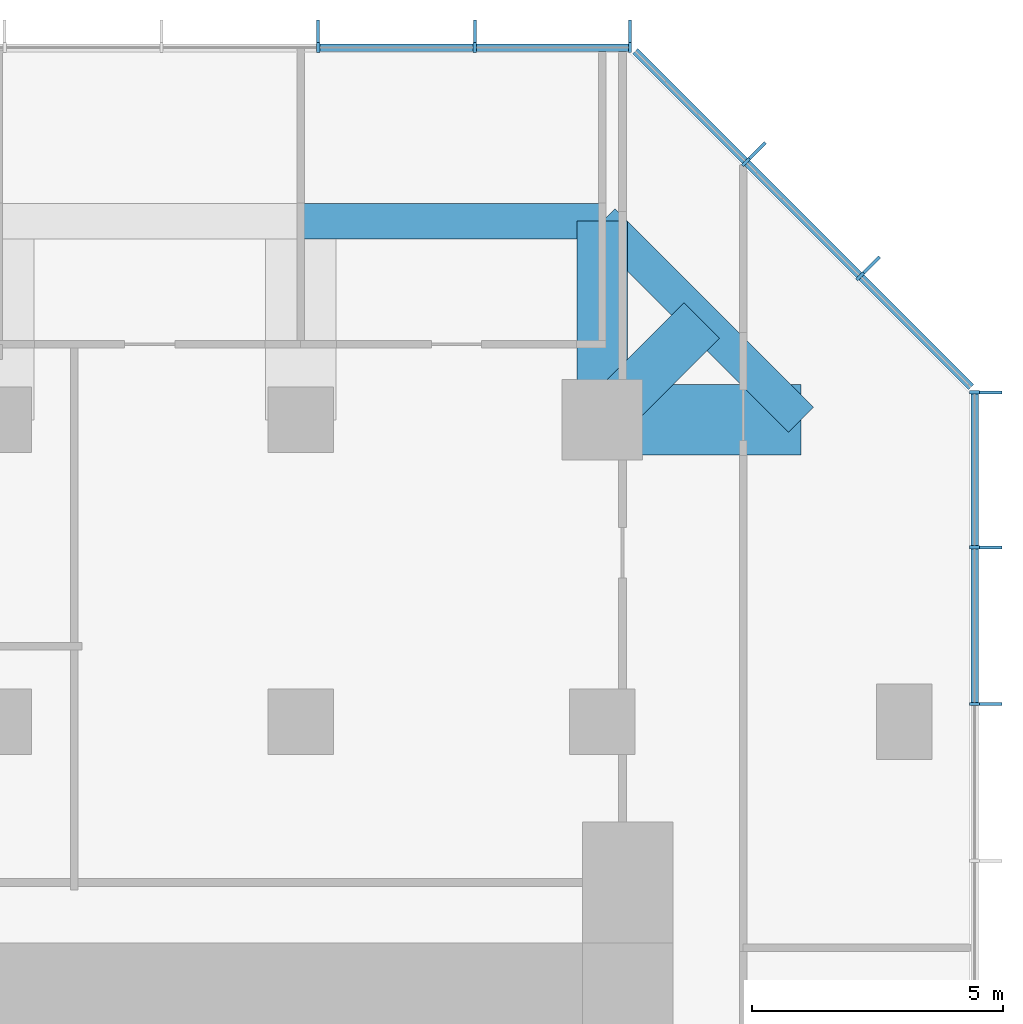
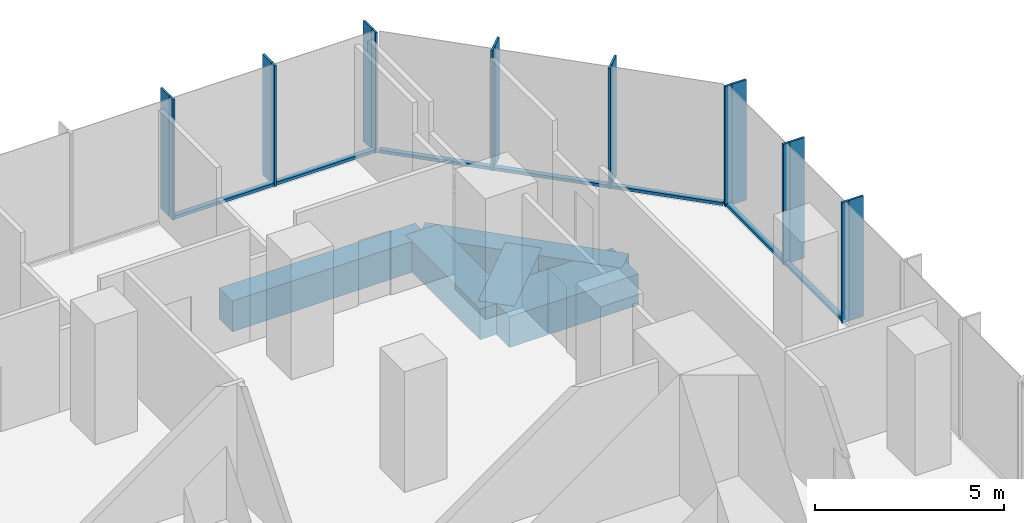
# One storey, part 6 of 11: 23 members, 5 beams, 3 elements without a shape of their own.
"""IFC4 building model written with IfcOpenShell, lengths in metres."""

from ifc_helpers import new_model, si_unit, direction, frame, origin, origin_2d, place, context, subcontext, project, spatial, rectangle, extrude, material, layer, layer_set, material_profile, profile_set, type_object, element, aggregate, save


model = new_model("IFC4")

# Units and contexts
model_context = context("Model", 3, precision=1e-05, world=origin(), true_north=direction((0.0, 1.0)))
body_context = subcontext(model_context, "Body", "Model", "MODEL_VIEW")
ifc_project = project(units=[si_unit("LENGTHUNIT", "METRE"), si_unit("AREAUNIT", "SQUARE_METRE"), si_unit("VOLUMEUNIT", "CUBIC_METRE"), si_unit("PLANEANGLEUNIT", "RADIAN"), si_unit("MASSUNIT", "GRAM", prefix="KILO")], contexts=[model_context])

# Site, building, storey
site_placement = place(None, origin())
site = spatial("IfcSite", under=ifc_project, at=site_placement, CompositionType="ELEMENT")
building_placement = place(site_placement, origin())
building = spatial("IfcBuilding", under=site, at=building_placement, Name="Highveld Stack Headquarters", CompositionType="ELEMENT")
storey_placement = place(building_placement, frame((0.0, 0.0, 192.800048828125)))
storey = spatial("IfcBuildingStorey", under=building, at=storey_placement, Name="L47", CompositionType="ELEMENT", Elevation=192.800048828125)

# Beams
ifc_material_1 = material(Name="Concrete C60/75", Category="concrete")
ifc_material_profile_1 = material_profile(ifc_material_1, rectangle(XDim=1.0, YDim=1.0, at=origin_2d()), Name="RC 1000x1000")
ifc_profile_set_1 = profile_set([ifc_material_profile_1], Name="Concrete C60/75")
beam_type_1 = type_object("IfcBeamType", Name="CANTILEVER RIB RC 1000x1000", PredefinedType="USERDEFINED", material=ifc_profile_set_1)
beam_1_placement = place(storey_placement, frame((18.0, 24.0, -0.75), z_axis=(0.0, 1.0, 0.0), x_axis=(-1.0, 0.0, 0.0)))
element("IfcBeam", 1, at=beam_1_placement, inside=storey, type_object=beam_type_1, Name="Cantilever rib 9/J L47", ObjectType="CANTILEVER RIB", PredefinedType="USERDEFINED", context=body_context, shape_type="SweptSolid", body=[
    extrude(rectangle(XDim=1.0, YDim=1.0, at=origin_2d()), origin(), (0.0, 0.0, 1.0), 3.949951171875),
])
beam_2_placement = place(storey_placement, frame((18.0, 24.0, -0.75), z_axis=(0.707106781187, 0.707106781187, 0.0), x_axis=(-0.707106781187, 0.707106781187, 0.0)))
element("IfcBeam", 2, at=beam_2_placement, inside=storey, type_object=beam_type_1, Name="Cantilever rib 9/J L47", ObjectType="CANTILEVER RIB", PredefinedType="USERDEFINED", context=body_context, shape_type="SweptSolid", body=[
    extrude(rectangle(XDim=1.0, YDim=1.0, at=origin_2d()), origin(), (0.0, 0.0, 1.0), 2.793212890625),
])
ifc_material_2 = material(Name="Concrete C60/75", Category="concrete")
ifc_material_profile_2 = material_profile(ifc_material_2, rectangle(XDim=1.39990234375, YDim=1.0, at=origin_2d()), Name="RC 1400x1000")
ifc_profile_set_2 = profile_set([ifc_material_profile_2], Name="Concrete C60/75")
beam_type_2 = type_object("IfcBeamType", Name="CANTILEVER RIB RC 1400x1000", PredefinedType="USERDEFINED", material=ifc_profile_set_2)
beam_3_placement = place(storey_placement, frame((18.0, 24.0, -0.75), z_axis=(1.0, 0.0, 0.0), x_axis=(0.0, 1.0, 0.0)))
element("IfcBeam", 3, at=beam_3_placement, inside=storey, type_object=beam_type_2, Name="Cantilever rib 9/J L47", ObjectType="CANTILEVER RIB", PredefinedType="USERDEFINED", context=body_context, shape_type="SweptSolid", body=[
    extrude(rectangle(XDim=1.39990234375, YDim=1.0, at=origin_2d()), origin(), (0.0, 0.0, 1.0), 3.949951171875),
])

# Curtain wall, members
ifc_material_3 = material(Name="Aluminium bronze anodised", Category="aluminium")
ifc_layer_1 = layer(ifc_material_3, 0.199951171875)
ifc_layer_set_1 = layer_set([ifc_layer_1], Name="Aluminium bronze anodised")
curtain_wall_type_1 = type_object("IfcCurtainWallType", Name="CW1 TOWER UNITISED CURTAIN WALL", PredefinedType="NOTDEFINED", material=ifc_layer_set_1)
curtain_wall_1_placement = place(storey_placement, origin())
curtain_wall_1 = element("IfcCurtainWall", 4, at=curtain_wall_1_placement, inside=storey, type_object=curtain_wall_type_1, Name="Curtain wall CW1 L47 E", PredefinedType="NOTDEFINED")
ifc_material_4 = material(Name="Aluminium bronze anodised", Category="aluminium")
ifc_material_profile_3 = material_profile(ifc_material_4, rectangle(XDim=0.449951171875, YDim=0.06005859375, at=origin_2d()), Name="FIN 450x60")
ifc_profile_set_3 = profile_set([ifc_material_profile_3], Name="Aluminium bronze anodised")
member_type_1 = type_object("IfcMemberType", Name="CW1 BRONZE FIN 450x60", PredefinedType="USERDEFINED", material=ifc_profile_set_3)
member_1_placement = place(storey_placement, frame((25.72509765625, 18.347900390625, 0.0), z_axis=(0.0, 0.0, 1.0), x_axis=(-1.0, 0.0, 0.0)))
member_1 = element("IfcMember", 5, at=member_1_placement, type_object=member_type_1, Name="CW1 fin L47 9", ObjectType="FIN", PredefinedType="USERDEFINED", context=body_context, shape_type="SweptSolid", body=[
    extrude(rectangle(XDim=0.449951171875, YDim=0.06005859375, at=origin_2d()), origin(), (0.0, 0.0, 1.0), 3.89990234375),
])
member_2_placement = place(storey_placement, frame((25.72509765625, 21.4638671875, 0.0), z_axis=(0.0, 0.0, 1.0), x_axis=(-1.0, 0.0, 0.0)))
member_2 = element("IfcMember", 6, at=member_2_placement, type_object=member_type_1, Name="CW1 fin L47 10", ObjectType="FIN", PredefinedType="USERDEFINED", context=body_context, shape_type="SweptSolid", body=[
    extrude(rectangle(XDim=0.449951171875, YDim=0.06005859375, at=origin_2d()), origin(), (0.0, 0.0, 1.0), 3.89990234375),
])
member_3_placement = place(storey_placement, frame((25.72509765625, 24.54736328125, 0.0), z_axis=(0.0, 0.0, 1.0), x_axis=(-1.0, 0.0, 0.0)))
member_3 = element("IfcMember", 7, at=member_3_placement, type_object=member_type_1, Name="CW1 fin L47 11", ObjectType="FIN", PredefinedType="USERDEFINED", context=body_context, shape_type="SweptSolid", body=[
    extrude(rectangle(XDim=0.449951171875, YDim=0.06005859375, at=origin_2d()), origin(), (0.0, 0.0, 1.0), 3.89990234375),
])

curtain_wall_2_placement = place(storey_placement, origin())
curtain_wall_2 = element("IfcCurtainWall", 8, at=curtain_wall_2_placement, inside=storey, type_object=curtain_wall_type_1, Name="Curtain wall CW1 L47 N", PredefinedType="NOTDEFINED")
member_4_placement = place(storey_placement, frame((18.54736328125, 31.72509765625, 0.0), z_axis=(0.0, 0.0, 1.0), x_axis=(0.0, -1.0, 0.0)))
member_4 = element("IfcMember", 9, at=member_4_placement, type_object=member_type_1, Name="CW1 fin L47 1", ObjectType="FIN", PredefinedType="USERDEFINED", context=body_context, shape_type="SweptSolid", body=[
    extrude(rectangle(XDim=0.449951171875, YDim=0.06005859375, at=origin_2d()), origin(), (0.0, 0.0, 1.0), 3.89990234375),
])
member_5_placement = place(storey_placement, frame((15.4638671875, 31.72509765625, 0.0), z_axis=(0.0, 0.0, 1.0), x_axis=(0.0, -1.0, 0.0)))
member_5 = element("IfcMember", 10, at=member_5_placement, type_object=member_type_1, Name="CW1 fin L47 2", ObjectType="FIN", PredefinedType="USERDEFINED", context=body_context, shape_type="SweptSolid", body=[
    extrude(rectangle(XDim=0.449951171875, YDim=0.06005859375, at=origin_2d()), origin(), (0.0, 0.0, 1.0), 3.89990234375),
])
member_6_placement = place(storey_placement, frame((12.347900390625, 31.72509765625, 0.0), z_axis=(0.0, 0.0, 1.0), x_axis=(0.0, -1.0, 0.0)))
member_6 = element("IfcMember", 11, at=member_6_placement, type_object=member_type_1, Name="CW1 fin L47 3", ObjectType="FIN", PredefinedType="USERDEFINED", context=body_context, shape_type="SweptSolid", body=[
    extrude(rectangle(XDim=0.449951171875, YDim=0.06005859375, at=origin_2d()), origin(), (0.0, 0.0, 1.0), 3.89990234375),
])

# Member
ifc_material_5 = material(Name="Aluminium bronze anodised", Category="aluminium")
ifc_material_profile_4 = material_profile(ifc_material_5, rectangle(XDim=0.199951171875, YDim=0.06494140625, at=origin_2d()), Name="CW1 MULLION 65x200")
ifc_profile_set_4 = profile_set([ifc_material_profile_4], Name="Aluminium bronze anodised")
member_type_2 = type_object("IfcMemberType", Name="CW1 MULLION 65x200", PredefinedType="MULLION", material=ifc_profile_set_4)
member_7_placement = place(storey_placement, frame((25.39990234375, 18.347900390625, 0.0), z_axis=(0.0, 0.0, 1.0), x_axis=(-1.0, 0.0, 0.0)))
member_7 = element("IfcMember", 12, at=member_7_placement, type_object=member_type_2, Name="CW1 mullion L47 9", PredefinedType="MULLION", context=body_context, shape_type="SweptSolid", body=[
    extrude(rectangle(XDim=0.199951171875, YDim=0.06494140625, at=origin_2d()), origin(), (0.0, 0.0, 1.0), 3.89990234375),
])

member_8_placement = place(storey_placement, frame((25.39990234375, 21.4638671875, 0.0), z_axis=(0.0, 0.0, 1.0), x_axis=(-1.0, 0.0, 0.0)))
member_8 = element("IfcMember", 13, at=member_8_placement, type_object=member_type_2, Name="CW1 mullion L47 10", PredefinedType="MULLION", context=body_context, shape_type="SweptSolid", body=[
    extrude(rectangle(XDim=0.199951171875, YDim=0.06494140625, at=origin_2d()), origin(), (0.0, 0.0, 1.0), 3.89990234375),
])

member_9_placement = place(storey_placement, frame((25.39990234375, 24.54736328125, 0.0), z_axis=(0.0, 0.0, 1.0), x_axis=(-1.0, 0.0, 0.0)))
member_9 = element("IfcMember", 14, at=member_9_placement, type_object=member_type_2, Name="CW1 mullion L47 11", PredefinedType="MULLION", context=body_context, shape_type="SweptSolid", body=[
    extrude(rectangle(XDim=0.199951171875, YDim=0.06494140625, at=origin_2d()), origin(), (0.0, 0.0, 1.0), 3.89990234375),
])

member_10_placement = place(storey_placement, frame((18.54736328125, 31.39990234375, 0.0), z_axis=(0.0, 0.0, 1.0), x_axis=(0.0, -1.0, 0.0)))
member_10 = element("IfcMember", 15, at=member_10_placement, type_object=member_type_2, Name="CW1 mullion L47 1", PredefinedType="MULLION", context=body_context, shape_type="SweptSolid", body=[
    extrude(rectangle(XDim=0.199951171875, YDim=0.06494140625, at=origin_2d()), origin(), (0.0, 0.0, 1.0), 3.89990234375),
])

member_11_placement = place(storey_placement, frame((15.4638671875, 31.39990234375, 0.0), z_axis=(0.0, 0.0, 1.0), x_axis=(0.0, -1.0, 0.0)))
member_11 = element("IfcMember", 16, at=member_11_placement, type_object=member_type_2, Name="CW1 mullion L47 2", PredefinedType="MULLION", context=body_context, shape_type="SweptSolid", body=[
    extrude(rectangle(XDim=0.199951171875, YDim=0.06494140625, at=origin_2d()), origin(), (0.0, 0.0, 1.0), 3.89990234375),
])

member_12_placement = place(storey_placement, frame((12.347900390625, 31.39990234375, 0.0), z_axis=(0.0, 0.0, 1.0), x_axis=(0.0, -1.0, 0.0)))
member_12 = element("IfcMember", 17, at=member_12_placement, type_object=member_type_2, Name="CW1 mullion L47 3", PredefinedType="MULLION", context=body_context, shape_type="SweptSolid", body=[
    extrude(rectangle(XDim=0.199951171875, YDim=0.06494140625, at=origin_2d()), origin(), (0.0, 0.0, 1.0), 3.89990234375),
])

ifc_material_6 = material(Name="Aluminium bronze anodised", Category="aluminium")
ifc_material_profile_5 = material_profile(ifc_material_6, rectangle(XDim=0.14990234375, YDim=0.10009765625, at=origin_2d()), Name="CW1 TRANSOM 150x100")
ifc_profile_set_5 = profile_set([ifc_material_profile_5], Name="Aluminium bronze anodised")
member_type_3 = type_object("IfcMemberType", Name="CW1 STACK TRANSOM 150x100", PredefinedType="USERDEFINED", material=ifc_profile_set_5)
member_13_placement = place(storey_placement, frame((25.39990234375, 18.38037109375, 0.050048828125), z_axis=(0.0, 1.0, 0.0), x_axis=(-1.0, 0.0, 0.0)))
member_13 = element("IfcMember", 18, at=member_13_placement, type_object=member_type_3, Name="CW1 transom L47 9.1", ObjectType="TRANSOM", PredefinedType="USERDEFINED", context=body_context, shape_type="SweptSolid", body=[
    extrude(rectangle(XDim=0.14990234375, YDim=0.10009765625, at=origin_2d()), origin(), (0.0, 0.0, 1.0), 3.051025390625),
])

member_14_placement = place(storey_placement, frame((25.39990234375, 21.496337890625, 0.050048828125), z_axis=(0.0, 1.0, 0.0), x_axis=(-1.0, 0.0, 0.0)))
member_14 = element("IfcMember", 19, at=member_14_placement, type_object=member_type_3, Name="CW1 transom L47 10.1", ObjectType="TRANSOM", PredefinedType="USERDEFINED", context=body_context, shape_type="SweptSolid", body=[
    extrude(rectangle(XDim=0.14990234375, YDim=0.10009765625, at=origin_2d()), origin(), (0.0, 0.0, 1.0), 3.0185546875),
])

aggregate(curtain_wall_1, [member_7, member_1, member_8, member_2, member_9, member_3, member_13, member_14])

member_15_placement = place(storey_placement, frame((18.514892578125, 31.39990234375, 0.050048828125), z_axis=(-1.0, 0.0, 0.0), x_axis=(0.0, -1.0, 0.0)))
member_15 = element("IfcMember", 20, at=member_15_placement, type_object=member_type_3, Name="CW1 transom L47 1.1", ObjectType="TRANSOM", PredefinedType="USERDEFINED", context=body_context, shape_type="SweptSolid", body=[
    extrude(rectangle(XDim=0.14990234375, YDim=0.10009765625, at=origin_2d()), origin(), (0.0, 0.0, 1.0), 3.0185546875),
])

member_16_placement = place(storey_placement, frame((15.431396484375, 31.39990234375, 0.050048828125), z_axis=(-1.0, 0.0, 0.0), x_axis=(0.0, -1.0, 0.0)))
member_16 = element("IfcMember", 21, at=member_16_placement, type_object=member_type_3, Name="CW1 transom L47 2.1", ObjectType="TRANSOM", PredefinedType="USERDEFINED", context=body_context, shape_type="SweptSolid", body=[
    extrude(rectangle(XDim=0.14990234375, YDim=0.10009765625, at=origin_2d()), origin(), (0.0, 0.0, 1.0), 3.051025390625),
])

aggregate(curtain_wall_2, [member_10, member_4, member_11, member_5, member_12, member_6, member_15, member_16])

# Curtain wall, members
ifc_material_7 = material(Name="Aluminium bronze anodised", Category="aluminium")
ifc_layer_2 = layer(ifc_material_7, 0.199951171875)
ifc_layer_set_2 = layer_set([ifc_layer_2], Name="Aluminium bronze anodised")
curtain_wall_type_2 = type_object("IfcCurtainWallType", Name="CW2 TOWER CHAMFER UNITISED CURTAIN WALL", PredefinedType="NOTDEFINED", material=ifc_layer_set_2)
curtain_wall_3_placement = place(storey_placement, origin())
curtain_wall_3 = element("IfcCurtainWall", 22, at=curtain_wall_3_placement, inside=storey, type_object=curtain_wall_type_2, Name="Curtain wall CW2 L47 NE", PredefinedType="NOTDEFINED")
ifc_material_8 = material(Name="Aluminium bronze anodised", Category="aluminium")
ifc_material_profile_6 = material_profile(ifc_material_8, rectangle(XDim=0.449951171875, YDim=0.06005859375, at=origin_2d()), Name="FIN 450x60")
ifc_profile_set_6 = profile_set([ifc_material_profile_6], Name="Aluminium bronze anodised")
member_type_4 = type_object("IfcMemberType", Name="CW2 BRONZE FIN 450x60", PredefinedType="USERDEFINED", material=ifc_profile_set_6)
member_17_placement = place(storey_placement, frame((23.3564453125, 27.0830078125, 0.0), z_axis=(0.0, 0.0, 1.0), x_axis=(-0.707106781187, -0.707106781187, 0.0)))
member_17 = element("IfcMember", 23, at=member_17_placement, type_object=member_type_4, Name="CW2 fin L47 1", ObjectType="FIN", PredefinedType="USERDEFINED", context=body_context, shape_type="SweptSolid", body=[
    extrude(rectangle(XDim=0.449951171875, YDim=0.06005859375, at=origin_2d()), origin(), (0.0, 0.0, 1.0), 3.89990234375),
])
member_18_placement = place(storey_placement, frame((21.0830078125, 29.3564453125, 0.0), z_axis=(0.0, 0.0, 1.0), x_axis=(-0.707106781187, -0.707106781187, 0.0)))
member_18 = element("IfcMember", 24, at=member_18_placement, type_object=member_type_4, Name="CW2 fin L47 2", ObjectType="FIN", PredefinedType="USERDEFINED", context=body_context, shape_type="SweptSolid", body=[
    extrude(rectangle(XDim=0.449951171875, YDim=0.06005859375, at=origin_2d()), origin(), (0.0, 0.0, 1.0), 3.89990234375),
])
ifc_material_9 = material(Name="Aluminium bronze anodised", Category="aluminium")
ifc_material_profile_7 = material_profile(ifc_material_9, rectangle(XDim=0.199951171875, YDim=0.06494140625, at=origin_2d()), Name="CW2 MULLION 65x200")
ifc_profile_set_7 = profile_set([ifc_material_profile_7], Name="Aluminium bronze anodised")
member_type_5 = type_object("IfcMemberType", Name="CW2 MULLION 65x200", PredefinedType="MULLION", material=ifc_profile_set_7)
member_19_placement = place(storey_placement, frame((23.126708984375, 26.853271484375, 0.0), z_axis=(0.0, 0.0, 1.0), x_axis=(-0.707106781187, -0.707106781187, 0.0)))
member_19 = element("IfcMember", 25, at=member_19_placement, type_object=member_type_5, Name="CW2 mullion L47 1", PredefinedType="MULLION", context=body_context, shape_type="SweptSolid", body=[
    extrude(rectangle(XDim=0.199951171875, YDim=0.06494140625, at=origin_2d()), origin(), (0.0, 0.0, 1.0), 3.89990234375),
])
member_20_placement = place(storey_placement, frame((20.853271484375, 29.126708984375, 0.0), z_axis=(0.0, 0.0, 1.0), x_axis=(-0.707106781187, -0.707106781187, 0.0)))
member_20 = element("IfcMember", 26, at=member_20_placement, type_object=member_type_5, Name="CW2 mullion L47 2", PredefinedType="MULLION", context=body_context, shape_type="SweptSolid", body=[
    extrude(rectangle(XDim=0.199951171875, YDim=0.06494140625, at=origin_2d()), origin(), (0.0, 0.0, 1.0), 3.89990234375),
])
ifc_material_10 = material(Name="Aluminium bronze anodised", Category="aluminium")
ifc_material_profile_8 = material_profile(ifc_material_10, rectangle(XDim=0.14990234375, YDim=0.10009765625, at=origin_2d()), Name="CW2 TRANSOM 150x100")
ifc_profile_set_8 = profile_set([ifc_material_profile_8], Name="Aluminium bronze anodised")
member_type_6 = type_object("IfcMemberType", Name="CW2 STACK TRANSOM 150x100", PredefinedType="USERDEFINED", material=ifc_profile_set_8)
member_21_placement = place(storey_placement, frame((25.329345703125, 24.650634765625, 0.050048828125), z_axis=(-0.707106781187, 0.707106781187, 0.0), x_axis=(-0.707106781187, -0.707106781187, 0.0)))
member_21 = element("IfcMember", 27, at=member_21_placement, type_object=member_type_6, Name="CW2 transom L47 1.1", ObjectType="TRANSOM", PredefinedType="USERDEFINED", context=body_context, shape_type="SweptSolid", body=[
    extrude(rectangle(XDim=0.14990234375, YDim=0.10009765625, at=origin_2d()), origin(), (0.0, 0.0, 1.0), 3.08251953125),
])
member_22_placement = place(storey_placement, frame((23.103759765625, 26.876220703125, 0.050048828125), z_axis=(-0.707106781187, 0.707106781187, 0.0), x_axis=(-0.707106781187, -0.707106781187, 0.0)))
member_22 = element("IfcMember", 28, at=member_22_placement, type_object=member_type_6, Name="CW2 transom L47 2.1", ObjectType="TRANSOM", PredefinedType="USERDEFINED", context=body_context, shape_type="SweptSolid", body=[
    extrude(rectangle(XDim=0.14990234375, YDim=0.10009765625, at=origin_2d()), origin(), (0.0, 0.0, 1.0), 3.150146484375),
])
member_23_placement = place(storey_placement, frame((20.830322265625, 29.149658203125, 0.050048828125), z_axis=(-0.707106781187, 0.707106781187, 0.0), x_axis=(-0.707106781187, -0.707106781187, 0.0)))
member_23 = element("IfcMember", 29, at=member_23_placement, type_object=member_type_6, Name="CW2 transom L47 3.1", ObjectType="TRANSOM", PredefinedType="USERDEFINED", context=body_context, shape_type="SweptSolid", body=[
    extrude(rectangle(XDim=0.14990234375, YDim=0.10009765625, at=origin_2d()), origin(), (0.0, 0.0, 1.0), 3.08251953125),
])
aggregate(curtain_wall_3, [member_19, member_17, member_20, member_18, member_21, member_22, member_23])

# Beams
ifc_material_11 = material(Name="Concrete C60/75", Category="concrete")
ifc_material_profile_9 = material_profile(ifc_material_11, rectangle(XDim=0.699951171875, YDim=1.0, at=origin_2d()), Name="RC 700x1000")
ifc_profile_set_9 = profile_set([ifc_material_profile_9], Name="Concrete C60/75")
beam_type_3 = type_object("IfcBeamType", Name="RIB TIP BEAM RC 700x1000", PredefinedType="SPANDREL", material=ifc_profile_set_9)
beam_4_placement = place(storey_placement, frame((12.0, 27.949951171875, -0.75), z_axis=(1.0, 0.0, 0.0), x_axis=(0.0, 1.0, 0.0)))
element("IfcBeam", 30, at=beam_4_placement, inside=storey, type_object=beam_type_3, Name="Rib tip beam 8/J to 9/J L47", PredefinedType="SPANDREL", context=body_context, shape_type="SweptSolid", body=[
    extrude(rectangle(XDim=0.699951171875, YDim=1.0, at=origin_2d()), origin(), (0.0, 0.0, 1.0), 6.0),
])
beam_5_placement = place(storey_placement, frame((21.949951171875, 24.0, -0.75), z_axis=(-0.707106781187, 0.707106781187, 0.0), x_axis=(-0.707106781187, -0.707106781187, 0.0)))
element("IfcBeam", 31, at=beam_5_placement, inside=storey, type_object=beam_type_3, Name="Rib tip beam 9/J corner L47", PredefinedType="SPANDREL", context=body_context, shape_type="SweptSolid", body=[
    extrude(rectangle(XDim=0.699951171875, YDim=1.0, at=origin_2d()), origin(), (0.0, 0.0, 1.0), 5.586181640625),
])

save(model, "model.ifc")
